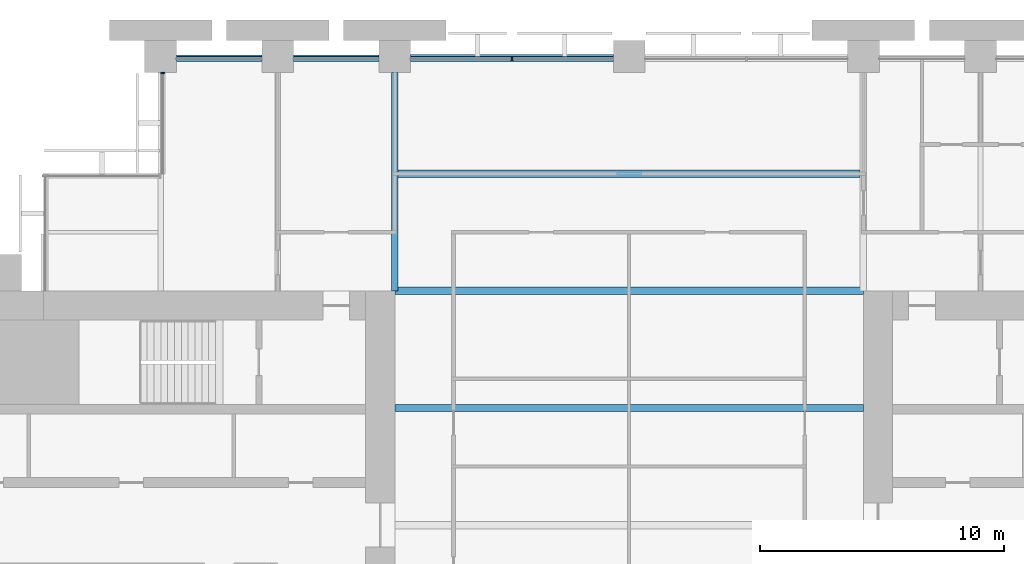
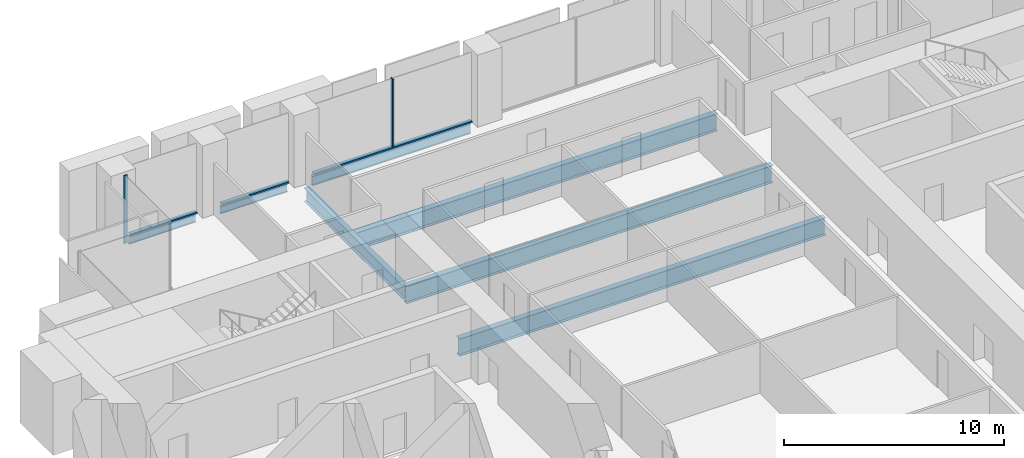
# One storey, part 6 of 14: 7 beams, 5 members, 2 elements without a shape of their own.
"""IFC4 building model written with IfcOpenShell, lengths in metres."""

from ifc_helpers import new_model, si_unit, direction, frame, origin, origin_2d, place, context, subcontext, project, spatial, rectangle, i_section, extrude, material, material_profile, profile_set, type_object, element, aggregate, save


model = new_model("IFC4")

# Units and contexts
model_context = context("Model", 3, precision=1e-05, world=origin(), true_north=direction((0.0, 1.0)))
body_context = subcontext(model_context, "Body", "Model", "MODEL_VIEW")
ifc_project = project(units=[si_unit("LENGTHUNIT", "METRE"), si_unit("AREAUNIT", "SQUARE_METRE"), si_unit("VOLUMEUNIT", "CUBIC_METRE"), si_unit("PLANEANGLEUNIT", "RADIAN"), si_unit("MASSUNIT", "GRAM", prefix="KILO")], contexts=[model_context])

# Site, building, storey
site_placement = place(None, origin())
site = spatial("IfcSite", under=ifc_project, at=site_placement, CompositionType="ELEMENT")
building_placement = place(site_placement, origin())
building = spatial("IfcBuilding", under=site, at=building_placement, Name="Baori Bourse Tower", CompositionType="ELEMENT")
storey_placement = place(building_placement, frame((0.0, 0.0, 79.0)))
storey = spatial("IfcBuildingStorey", under=building, at=storey_placement, Name="L17", CompositionType="ELEMENT", Elevation=79.0)

# Curtain wall, members
ifc_material_1 = material(Name="Pale anodised aluminium", Category="aluminium")
curtain_wall_type_1 = type_object("IfcCurtainWallType", Name="CW1 Curtain wall", PredefinedType="NOTDEFINED", material=ifc_material_1)
curtain_wall_1_placement = place(storey_placement, origin())
curtain_wall_1 = element("IfcCurtainWall", 1, at=curtain_wall_1_placement, inside=storey, type_object=curtain_wall_type_1, Name="Curtain wall CW1 L17 4", PredefinedType="NOTDEFINED")
ifc_material_2 = material(Name="Pale anodised aluminium", Category="aluminium")
ifc_material_profile_1 = material_profile(ifc_material_2, rectangle(XDim=0.199951171875, YDim=0.06005859375, at=origin_2d()), Name="Mullion 60x200")
ifc_profile_set_1 = profile_set([ifc_material_profile_1], Name="Pale anodised aluminium")
member_type_1 = type_object("IfcMemberType", Name="CW1 Curtain wall mullion", PredefinedType="MULLION", material=ifc_profile_set_1)
member_1_placement = place(storey_placement, frame((24.0, 47.89990234375, 0.080078125), z_axis=(0.0, 0.0, 1.0), x_axis=(0.0, -1.0, 0.0)))
member_1 = element("IfcMember", 2, at=member_1_placement, type_object=member_type_1, Name="Curtain wall CW1 mullion", PredefinedType="MULLION", context=body_context, shape_type="SweptSolid", body=[
    extrude(rectangle(XDim=0.199951171875, YDim=0.06005859375, at=origin_2d()), origin(), (0.0, 0.0, 1.0), 3.760009765625),
])
ifc_material_3 = material(Name="Pale anodised aluminium", Category="aluminium")
ifc_material_profile_2 = material_profile(ifc_material_3, rectangle(XDim=0.199951171875, YDim=0.080078125, at=origin_2d()), Name="Transom 80x200")
ifc_profile_set_2 = profile_set([ifc_material_profile_2], Name="Pale anodised aluminium")
member_type_2 = type_object("IfcMemberType", Name="CW1 Curtain wall transom", PredefinedType="USERDEFINED", material=ifc_profile_set_2)
member_2_placement = place(storey_placement, frame((28.14990234375, 47.89990234375, 0.0400390625), z_axis=(-1.0, 0.0, 0.0), x_axis=(0.0, -1.0, 0.0)))
member_2 = element("IfcMember", 3, at=member_2_placement, type_object=member_type_2, Name="Curtain wall CW1 sill rail", ObjectType="TRANSOM", PredefinedType="USERDEFINED", context=body_context, shape_type="SweptSolid", body=[
    extrude(rectangle(XDim=0.199951171875, YDim=0.080078125, at=origin_2d()), origin(), (0.0, 0.0, 1.0), 8.2998046875),
])
member_3_placement = place(storey_placement, frame((18.550048828125, 47.89990234375, 0.0400390625), z_axis=(-1.0, 0.0, 0.0), x_axis=(0.0, -1.0, 0.0)))
member_3 = element("IfcMember", 4, at=member_3_placement, type_object=member_type_2, Name="Curtain wall CW1 sill rail", ObjectType="TRANSOM", PredefinedType="USERDEFINED", context=body_context, shape_type="SweptSolid", body=[
    extrude(rectangle(XDim=0.199951171875, YDim=0.080078125, at=origin_2d()), origin(), (0.0, 0.0, 1.0), 3.5),
])
member_4_placement = place(storey_placement, frame((13.75, 47.89990234375, 0.0400390625), z_axis=(-1.0, 0.0, 0.0), x_axis=(0.0, -1.0, 0.0)))
member_4 = element("IfcMember", 5, at=member_4_placement, type_object=member_type_2, Name="Curtain wall CW1 sill rail", ObjectType="TRANSOM", PredefinedType="USERDEFINED", context=body_context, shape_type="SweptSolid", body=[
    extrude(rectangle(XDim=0.199951171875, YDim=0.080078125, at=origin_2d()), origin(), (0.0, 0.0, 1.0), 3.5),
])
aggregate(curtain_wall_1, [member_2, member_1, member_3, member_4])

# Curtain wall, member
ifc_material_4 = material(Name="Pale anodised aluminium", Category="aluminium")
curtain_wall_type_2 = type_object("IfcCurtainWallType", Name="CW2 Curtain wall", PredefinedType="NOTDEFINED", material=ifc_material_4)
curtain_wall_2_placement = place(storey_placement, origin())
curtain_wall_2 = element("IfcCurtainWall", 6, at=curtain_wall_2_placement, inside=storey, type_object=curtain_wall_type_2, Name="Curtain wall CW2 L17 5", PredefinedType="NOTDEFINED")
ifc_material_5 = material(Name="Pale anodised aluminium", Category="aluminium")
ifc_material_profile_3 = material_profile(ifc_material_5, rectangle(XDim=0.179931640625, YDim=0.054931640625, at=origin_2d()), Name="Mullion 55x180")
ifc_profile_set_3 = profile_set([ifc_material_profile_3], Name="Pale anodised aluminium")
member_type_3 = type_object("IfcMemberType", Name="CW2 Curtain wall mullion", PredefinedType="MULLION", material=ifc_profile_set_3)
member_5_placement = place(storey_placement, frame((9.68994140625, 47.322509765625, 0.070068359375), z_axis=(0.0, 0.0, 1.0), x_axis=(1.0, 0.0, 0.0)))
member_5 = element("IfcMember", 7, at=member_5_placement, type_object=member_type_3, Name="Curtain wall CW2 mullion", PredefinedType="MULLION", context=body_context, shape_type="SweptSolid", body=[
    extrude(rectangle(XDim=0.179931640625, YDim=0.054931640625, at=origin_2d()), origin(), (0.0, 0.0, 1.0), 3.77001953125),
])
aggregate(curtain_wall_2, [member_5])

# Beams
ifc_material_6 = material(Name="Steel A992 Gr 50", Category="steel")
ifc_material_profile_4 = material_profile(ifc_material_6, i_section(OverallWidth=0.140380859375, OverallDepth=0.40380859375, WebThickness=0.007080078125, FlangeThickness=0.01123046875, at=origin_2d()), Name="W16x31")
ifc_profile_set_4 = profile_set([ifc_material_profile_4], Name="Steel A992 Gr 50")
beam_type_1 = type_object("IfcBeamType", Name="Edge beam W16x31", PredefinedType="BEAM", material=ifc_profile_set_4)
for number, where, z_axis, x_axis, name in (
    (8, (10.25, 48.0, -0.36181640625), (1.0, 0.0, 0.0), (0.0, 1.0, 0.0), "Edge beam L17"),
    (9, (15.050048828125, 48.0, -0.36181640625), (1.0, 0.0, 0.0), (0.0, 1.0, 0.0), "Edge beam L17"),
):
    element("IfcBeam", number, at=place(storey_placement, frame(where, z_axis=z_axis, x_axis=x_axis)), inside=storey, type_object=beam_type_1, Name=name, PredefinedType="BEAM", context=body_context, shape_type="SweptSolid", body=[
        extrude(i_section(OverallWidth=0.140380859375, OverallDepth=0.40380859375, WebThickness=0.007080078125, FlangeThickness=0.01123046875, at=origin_2d()), origin(), (0.0, 0.0, 1.0), 3.5),
    ])
ifc_material_7 = material(Name="Steel A992 Gr 50", Category="steel")
ifc_material_profile_5 = material_profile(ifc_material_7, i_section(OverallWidth=0.1650390625, OverallDepth=0.52587890625, WebThickness=0.0087890625, FlangeThickness=0.011474609375, at=origin_2d()), Name="W21x44")
ifc_profile_set_5 = profile_set([ifc_material_profile_5], Name="Steel A992 Gr 50")
beam_type_2 = type_object("IfcBeamType", Name="Edge beam W21x44", PredefinedType="BEAM", material=ifc_profile_set_5)
beam_1_placement = place(storey_placement, frame((19.85009765625, 48.0, -0.4228515625), z_axis=(1.0, 0.0, 0.0), x_axis=(0.0, 1.0, 0.0)))
element("IfcBeam", 10, at=beam_1_placement, inside=storey, type_object=beam_type_2, Name="Edge beam L17", PredefinedType="BEAM", context=body_context, shape_type="SweptSolid", body=[
    extrude(i_section(OverallWidth=0.1650390625, OverallDepth=0.52587890625, WebThickness=0.0087890625, FlangeThickness=0.011474609375, at=origin_2d()), origin(), (0.0, 0.0, 1.0), 8.2998046875),
])
ifc_material_8 = material(Name="Steel A992 Gr 50", Category="steel")
ifc_material_profile_6 = material_profile(ifc_material_8, i_section(OverallWidth=0.2998046875, OverallDepth=0.97021484375, WebThickness=0.01611328125, FlangeThickness=0.02099609375, at=origin_2d()), Name="W40x149")
ifc_profile_set_6 = profile_set([ifc_material_profile_6], Name="Steel A992 Gr 50")
beam_type_3 = type_object("IfcBeamType", Name="Floor beam W40x149", PredefinedType="BEAM", material=ifc_profile_set_6)
for number, where, z_axis, x_axis, name in (
    (11, (19.199951171875, 33.60009765625, -0.64501953125), (1.0, 0.0, 0.0), (0.0, 1.0, 0.0), "Floor beam L17"),
    (12, (19.199951171875, 38.39990234375, -0.64501953125), (1.0, 0.0, 0.0), (0.0, 1.0, 0.0), "Floor beam L17"),
):
    element("IfcBeam", number, at=place(storey_placement, frame(where, z_axis=z_axis, x_axis=x_axis)), inside=storey, type_object=beam_type_3, Name=name, PredefinedType="BEAM", context=body_context, shape_type="SweptSolid", body=[
        extrude(i_section(OverallWidth=0.2998046875, OverallDepth=0.97021484375, WebThickness=0.01611328125, FlangeThickness=0.02099609375, at=origin_2d()), origin(), (0.0, 0.0, 1.0), 19.199951171875),
    ])
beam_2_placement = place(storey_placement, frame((19.333251953125, 43.199951171875, -0.64501953125), z_axis=(1.0, 0.0, 0.0), x_axis=(0.0, 1.0, 0.0)))
element("IfcBeam", 13, at=beam_2_placement, inside=storey, type_object=beam_type_3, Name="Floor beam L17", PredefinedType="BEAM", context=body_context, shape_type="SweptSolid", body=[
    extrude(i_section(OverallWidth=0.2998046875, OverallDepth=0.97021484375, WebThickness=0.01611328125, FlangeThickness=0.02099609375, at=origin_2d()), origin(), (0.0, 0.0, 1.0), 18.933349609375),
])
ifc_material_9 = material(Name="Steel A992 Gr 50", Category="steel")
ifc_material_profile_7 = material_profile(ifc_material_9, i_section(OverallWidth=0.2666015625, OverallDepth=0.7568359375, WebThickness=0.013916015625, FlangeThickness=0.019287109375, at=origin_2d()), Name="W30x108")
ifc_profile_set_7 = profile_set([ifc_material_profile_7], Name="Steel A992 Gr 50")
beam_type_4 = type_object("IfcBeamType", Name="Girder W30x108", PredefinedType="BEAM", material=ifc_profile_set_7)
beam_3_placement = place(storey_placement, frame((19.199951171875, 38.39990234375, -0.53857421875), z_axis=(0.0, 1.0, 0.0), x_axis=(-1.0, 0.0, 0.0)))
element("IfcBeam", 14, at=beam_3_placement, inside=storey, type_object=beam_type_4, Name="Girder L17", PredefinedType="BEAM", context=body_context, shape_type="SweptSolid", body=[
    extrude(i_section(OverallWidth=0.2666015625, OverallDepth=0.7568359375, WebThickness=0.013916015625, FlangeThickness=0.019287109375, at=origin_2d()), origin(), (0.0, 0.0, 1.0), 8.9501953125),
])

save(model, "model.ifc")
